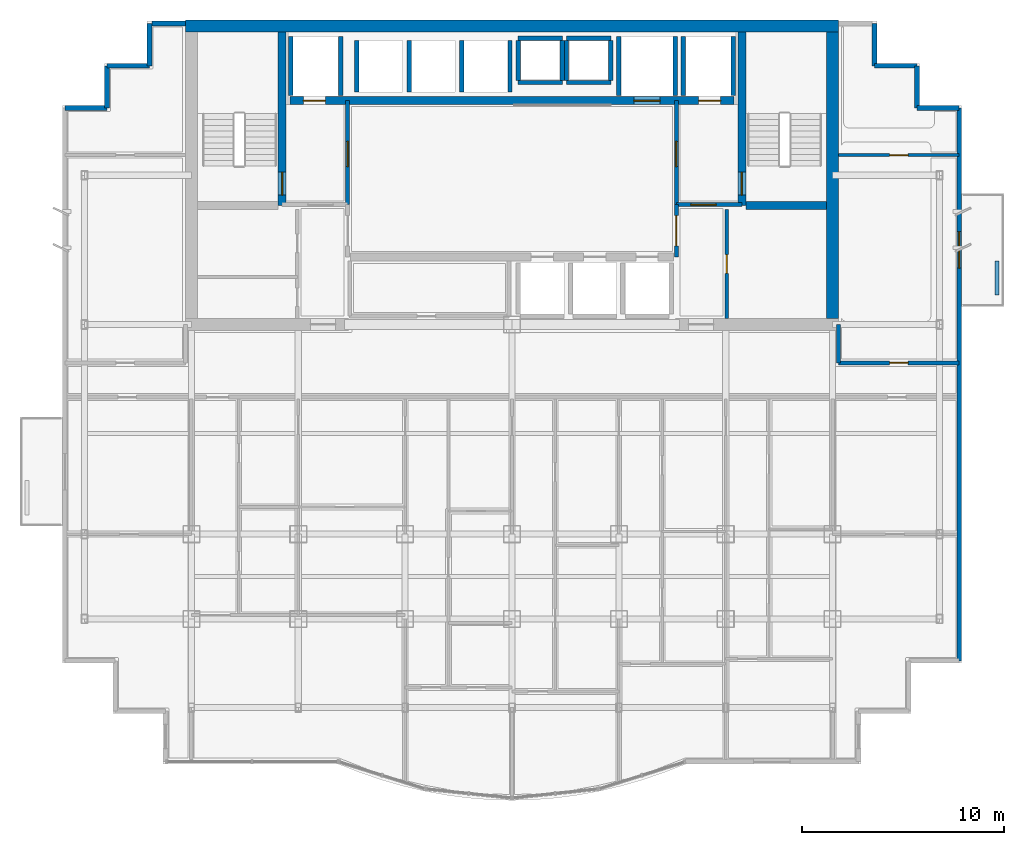
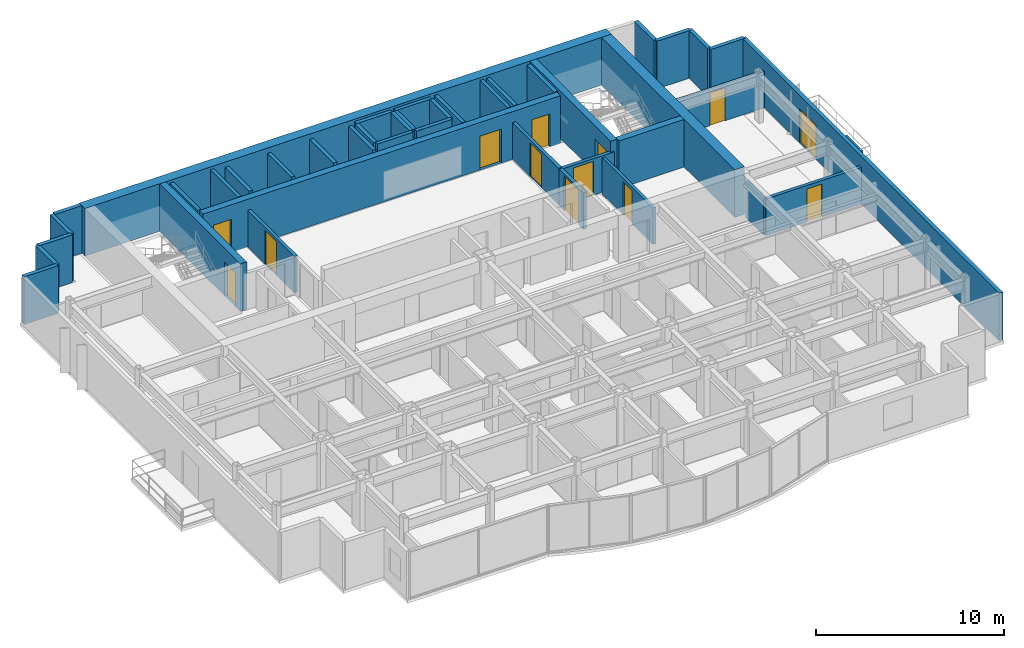
# One storey, part 8 of 11: 43 walls, 13 doors, 13 openings.
"""IFC4 building model written with IfcOpenShell, lengths in metres."""

from ifc_helpers import new_model, si_unit, direction, frame, frame_2d, origin, place, context, subcontext, project, spatial, rectangle, extrude, material, layer, layer_set, type_object, element, fill, save


model = new_model("IFC4")

# Units and contexts
model_context = context("Model", 3, precision=1e-05, world=origin(), true_north=direction((0.0, 1.0)))
body_context = subcontext(model_context, "Body", "Model", "MODEL_VIEW")
ifc_project = project(units=[si_unit("LENGTHUNIT", "METRE"), si_unit("AREAUNIT", "SQUARE_METRE"), si_unit("VOLUMEUNIT", "CUBIC_METRE"), si_unit("PLANEANGLEUNIT", "RADIAN"), si_unit("MASSUNIT", "GRAM", prefix="KILO")], contexts=[model_context])

# Site, building, storey
site_placement = place(None, origin())
site = spatial("IfcSite", under=ifc_project, at=site_placement, CompositionType="ELEMENT")
building_placement = place(site_placement, origin())
building = spatial("IfcBuilding", under=site, at=building_placement, Name="Qianlan Lanfeng Residences", CompositionType="ELEMENT")
storey_placement = place(building_placement, frame((0.0, 0.0, 172.199951171875)))
storey = spatial("IfcBuildingStorey", under=building, at=storey_placement, Name="L47", CompositionType="ELEMENT", Elevation=172.199951171875)

# Wall, opening, door
ifc_material_1 = material(Name="Concrete C56", Category="concrete")
ifc_layer_1 = layer(ifc_material_1, 0.39990234375)
ifc_layer_set_1 = layer_set([ifc_layer_1], Name="Concrete C56")
wall_type_1 = type_object("IfcWallType", Name="CW-RC-400", PredefinedType="SHEAR", material=ifc_layer_set_1)
wall_1_placement = place(storey_placement, frame((15.10009765625, 31.10009765625, 0.0), z_axis=(0.0, 0.0, 1.0), x_axis=(0.0, 1.0, 0.0)))
wall_1 = element("IfcWall", 1, at=wall_1_placement, inside=storey, type_object=wall_type_1, Name="L47 Core Shear Wall ST1E", PredefinedType="SHEAR", context=body_context, shape_type="SweptSolid", body=[
    extrude(rectangle(XDim=8.599853515625, YDim=0.39990234375, at=frame_2d((4.2998046875, 0.0))), origin(), (0.0, 0.0, 1.0), 3.10009765625),
])
opening_1_placement = place(wall_1_placement, frame((0.510009765625, 0.0, 0.0)))
opening_1 = element("IfcOpeningElement", 2, at=opening_1_placement, cuts=wall_1, Name="Opening L47-D07", PredefinedType="OPENING", context=body_context, shape_type="SweptSolid", body=[
    extrude(rectangle(XDim=1.14990234375, YDim=2.199951171875, at=frame_2d((0.574951171875, 1.10009765625))), frame((0.0, 0.2099609375, 0.0), z_axis=(0.0, -1.0, 0.0), x_axis=(1.0, 0.0, 0.0)), (0.0, 0.0, 1.0), 0.419921875),
])
ifc_material_2 = material(Name="Painted Galvanised Steel Fire Door", Category="steel")
door_type_1 = type_object("IfcDoorType", Name="DT-ST1", OperationType="NOTDEFINED", PredefinedType="DOOR", material=ifc_material_2)
door_1_placement = place(opening_1_placement, frame((1.14990234375, 0.0, 0.0), z_axis=(0.0, 0.0, 1.0), x_axis=(-1.0, 0.0, 0.0)))
door_1 = element("IfcDoor", 3, at=door_1_placement, inside=storey, type_object=door_type_1, Name="L47 Exit Stair ST-1 Door L47-D07 (DT-ST1)", OperationType="SINGLE_SWING_RIGHT", OverallHeight=2.199951171875, OverallWidth=1.14990234375, PredefinedType="DOOR", context=body_context, shape_type="SweptSolid", body=[
    extrude(rectangle(XDim=1.14990234375, YDim=2.199951171875, at=frame_2d((0.574951171875, 1.10009765625))), frame((0.0, 0.02490234375, 0.0), z_axis=(0.0, -1.0, 0.0), x_axis=(1.0, 0.0, 0.0)), (0.0, 0.0, 1.0), 0.050048828125),
])
fill(opening_1, door_1)

wall_2_placement = place(storey_placement, frame((37.89990234375, 31.10009765625, 0.0), z_axis=(0.0, 0.0, 1.0), x_axis=(0.0, 1.0, 0.0)))
wall_2 = element("IfcWall", 4, at=wall_2_placement, inside=storey, type_object=wall_type_1, Name="L47 Core Shear Wall ST2W", PredefinedType="SHEAR", context=body_context, shape_type="SweptSolid", body=[
    extrude(rectangle(XDim=8.599853515625, YDim=0.39990234375, at=frame_2d((4.2998046875, 0.0))), origin(), (0.0, 0.0, 1.0), 3.10009765625),
])
opening_2_placement = place(wall_2_placement, frame((0.510009765625, 0.0, 0.0)))
opening_2 = element("IfcOpeningElement", 5, at=opening_2_placement, cuts=wall_2, Name="Opening L47-D08", PredefinedType="OPENING", context=body_context, shape_type="SweptSolid", body=[
    extrude(rectangle(XDim=1.14990234375, YDim=2.199951171875, at=frame_2d((0.574951171875, 1.10009765625))), frame((0.0, 0.2099609375, 0.0), z_axis=(0.0, -1.0, 0.0), x_axis=(1.0, 0.0, 0.0)), (0.0, 0.0, 1.0), 0.419921875),
])
door_2_placement = place(opening_2_placement, origin())
door_2 = element("IfcDoor", 6, at=door_2_placement, inside=storey, type_object=door_type_1, Name="L47 Exit Stair ST-2 Door L47-D08 (DT-ST1)", OperationType="SINGLE_SWING_RIGHT", OverallHeight=2.199951171875, OverallWidth=1.14990234375, PredefinedType="DOOR", context=body_context, shape_type="SweptSolid", body=[
    extrude(rectangle(XDim=1.14990234375, YDim=2.199951171875, at=frame_2d((0.574951171875, 1.10009765625))), frame((0.0, 0.02490234375, 0.0), z_axis=(0.0, -1.0, 0.0), x_axis=(1.0, 0.0, 0.0)), (0.0, 0.0, 1.0), 0.050048828125),
])
fill(opening_2, door_2)

# Wall
wall_3_placement = place(storey_placement, frame((38.10009765625, 31.10009765625, 0.0), z_axis=(0.0, 0.0, 1.0), x_axis=(1.0, 0.0, 0.0)))
element("IfcWall", 7, at=wall_3_placement, inside=storey, type_object=wall_type_1, Name="L47 Core Shear Wall ST2S", PredefinedType="SHEAR", context=body_context, shape_type="SweptSolid", body=[
    extrude(rectangle(XDim=4.0, YDim=0.39990234375, at=frame_2d((2.0, 0.0))), origin(), (0.0, 0.0, 1.0), 3.10009765625),
])

# Wall, openings, doors
wall_4_placement = place(storey_placement, frame((15.5, 36.300048828125, 0.0), z_axis=(0.0, 0.0, 1.0), x_axis=(1.0, 0.0, 0.0)))
wall_4 = element("IfcWall", 8, at=wall_4_placement, inside=storey, type_object=wall_type_1, Name="L47 Core Shear Wall LBN", PredefinedType="SHEAR", context=body_context, shape_type="SweptSolid", body=[
    extrude(rectangle(XDim=22.0, YDim=0.39990234375, at=frame_2d((11.0, 0.0))), origin(), (0.0, 0.0, 1.0), 3.10009765625),
])
opening_3_placement = place(wall_4_placement, frame((0.64990234375, 0.0, 0.0)))
opening_3 = element("IfcOpeningElement", 9, at=opening_3_placement, cuts=wall_4, Name="Opening L47-LD-FFL-1", PredefinedType="OPENING", context=body_context, shape_type="SweptSolid", body=[
    extrude(rectangle(XDim=1.10009765625, YDim=2.14990234375, at=frame_2d((0.550048828125, 1.074951171875))), frame((0.0, 0.2099609375, 0.0), z_axis=(0.0, -1.0, 0.0), x_axis=(1.0, 0.0, 0.0)), (0.0, 0.0, 1.0), 0.419921875),
])
opening_4_placement = place(wall_4_placement, frame((20.25, 0.0, 0.0)))
opening_4 = element("IfcOpeningElement", 10, at=opening_4_placement, cuts=wall_4, Name="Opening L47-LD-FFL-2", PredefinedType="OPENING", context=body_context, shape_type="SweptSolid", body=[
    extrude(rectangle(XDim=1.10009765625, YDim=2.14990234375, at=frame_2d((0.550048828125, 1.074951171875))), frame((0.0, 0.2099609375, 0.0), z_axis=(0.0, -1.0, 0.0), x_axis=(1.0, 0.0, 0.0)), (0.0, 0.0, 1.0), 0.419921875),
])
opening_5_placement = place(wall_4_placement, frame((17.050048828125, 0.0, 0.0)))
opening_5 = element("IfcOpeningElement", 11, at=opening_5_placement, cuts=wall_4, Name="Opening L47-LD-SVL-1", PredefinedType="OPENING", context=body_context, shape_type="SweptSolid", body=[
    extrude(rectangle(XDim=1.300048828125, YDim=2.199951171875, at=frame_2d((0.64990234375, 1.10009765625))), frame((0.0, 0.2099609375, 0.0), z_axis=(0.0, -1.0, 0.0), x_axis=(1.0, 0.0, 0.0)), (0.0, 0.0, 1.0), 0.419921875),
])
ifc_material_3 = material(Name="Brushed Stainless Steel Sliding Lift Door", Category="steel")
door_type_2 = type_object("IfcDoorType", Name="LD-01", OperationType="NOTDEFINED", PredefinedType="DOOR", material=ifc_material_3)
door_3_placement = place(opening_3_placement, frame((1.10009765625, 0.0, 0.0), z_axis=(0.0, 0.0, 1.0), x_axis=(-1.0, 0.0, 0.0)))
door_3 = element("IfcDoor", 12, at=door_3_placement, inside=storey, type_object=door_type_2, Name="L47 Elevator FFL-1 Sliding Landing Door", OperationType="DOUBLE_DOOR_SLIDING", OverallHeight=2.14990234375, OverallWidth=1.10009765625, PredefinedType="DOOR", context=body_context, shape_type="SweptSolid", body=[
    extrude(rectangle(XDim=1.10009765625, YDim=2.14990234375, at=frame_2d((0.550048828125, 1.074951171875))), frame((0.0, 0.02490234375, 0.0), z_axis=(0.0, -1.0, 0.0), x_axis=(1.0, 0.0, 0.0)), (0.0, 0.0, 1.0), 0.050048828125),
])
fill(opening_3, door_3)
door_4_placement = place(opening_4_placement, frame((1.10009765625, 0.0, 0.0), z_axis=(0.0, 0.0, 1.0), x_axis=(-1.0, 0.0, 0.0)))
door_4 = element("IfcDoor", 13, at=door_4_placement, inside=storey, type_object=door_type_2, Name="L47 Elevator FFL-2 Sliding Landing Door", OperationType="DOUBLE_DOOR_SLIDING", OverallHeight=2.14990234375, OverallWidth=1.10009765625, PredefinedType="DOOR", context=body_context, shape_type="SweptSolid", body=[
    extrude(rectangle(XDim=1.10009765625, YDim=2.14990234375, at=frame_2d((0.550048828125, 1.074951171875))), frame((0.0, 0.02490234375, 0.0), z_axis=(0.0, -1.0, 0.0), x_axis=(1.0, 0.0, 0.0)), (0.0, 0.0, 1.0), 0.050048828125),
])
fill(opening_4, door_4)
door_type_3 = type_object("IfcDoorType", Name="LD-02", OperationType="NOTDEFINED", PredefinedType="DOOR", material=ifc_material_3)
door_5_placement = place(opening_5_placement, frame((1.300048828125, 0.0, 0.0), z_axis=(0.0, 0.0, 1.0), x_axis=(-1.0, 0.0, 0.0)))
door_5 = element("IfcDoor", 14, at=door_5_placement, inside=storey, type_object=door_type_3, Name="L47 Elevator SVL-1 Sliding Landing Door", OperationType="DOUBLE_DOOR_SLIDING", OverallHeight=2.199951171875, OverallWidth=1.300048828125, PredefinedType="DOOR", context=body_context, shape_type="SweptSolid", body=[
    extrude(rectangle(XDim=1.300048828125, YDim=2.199951171875, at=frame_2d((0.64990234375, 1.10009765625))), frame((0.0, 0.02490234375, 0.0), z_axis=(0.0, -1.0, 0.0), x_axis=(1.0, 0.0, 0.0)), (0.0, 0.0, 1.0), 0.050048828125),
])
fill(opening_5, door_5)

# Walls
ifc_layer_2 = layer(ifc_material_1, 0.60009765625)
ifc_layer_set_2 = layer_set([ifc_layer_2], Name="Concrete C56")
wall_type_2 = type_object("IfcWallType", Name="CW-RC-600", PredefinedType="SHEAR", material=ifc_layer_set_2)
wall_5_placement = place(storey_placement, frame((10.300048828125, 40.0, 0.0), z_axis=(0.0, 0.0, 1.0), x_axis=(1.0, 0.0, 0.0)))
element("IfcWall", 15, at=wall_5_placement, inside=storey, type_object=wall_type_2, Name="L47 Core Shear Wall N", PredefinedType="SHEAR", context=body_context, shape_type="SweptSolid", body=[
    extrude(rectangle(XDim=32.39990234375, YDim=0.60009765625, at=frame_2d((16.199951171875, 0.0))), origin(), (0.0, 0.0, 1.0), 3.10009765625),
])
wall_6_placement = place(storey_placement, frame((42.39990234375, 25.5, 0.0), z_axis=(0.0, 0.0, 1.0), x_axis=(0.0, 1.0, 0.0)))
element("IfcWall", 16, at=wall_6_placement, inside=storey, type_object=wall_type_2, Name="L47 Core Shear Wall E", PredefinedType="SHEAR", context=body_context, shape_type="SweptSolid", body=[
    extrude(rectangle(XDim=14.199951171875, YDim=0.60009765625, at=frame_2d((7.10009765625, 0.0))), origin(), (0.0, 0.0, 1.0), 3.10009765625),
])

# Wall, opening, door
ifc_material_4 = material(Name="Concrete C42", Category="concrete")
ifc_layer_3 = layer(ifc_material_4, 0.239990234375)
ifc_layer_set_3 = layer_set([ifc_layer_3], Name="Concrete C42")
wall_type_3 = type_object("IfcWallType", Name="EW-240", PredefinedType="SOLIDWALL", material=ifc_layer_set_3)
wall_7_placement = place(storey_placement, frame((48.679931640625, 8.52001953125, 0.0), z_axis=(0.0, 0.0, 1.0), x_axis=(0.0, 1.0, 0.0)))
wall_7 = element("IfcWall", 17, at=wall_7_placement, inside=storey, type_object=wall_type_3, Name="L47 Terrace/Balcony Access Exterior Wall 10", PredefinedType="SOLIDWALL", context=body_context, shape_type="SweptSolid", body=[
    extrude(rectangle(XDim=27.409912109375, YDim=0.239990234375, at=frame_2d((13.705078125, 0.0))), origin(), (0.0, 0.0, 1.0), 3.10009765625),
])
opening_6_placement = place(wall_7_placement, frame((19.47998046875, 0.0, 0.0)))
opening_6 = element("IfcOpeningElement", 18, at=opening_6_placement, cuts=wall_7, Name="Opening L47-D-EB-N", PredefinedType="OPENING", context=body_context, shape_type="SweptSolid", body=[
    extrude(rectangle(XDim=1.800048828125, YDim=2.199951171875, at=frame_2d((0.89990234375, 1.10009765625))), frame((0.0, 0.1298828125, 0.0), z_axis=(0.0, -1.0, 0.0), x_axis=(1.0, 0.0, 0.0)), (0.0, 0.0, 1.0), 0.260009765625),
])
ifc_material_5 = material(Name="Anodised Bronze Aluminium Framed Glass", Category="aluminium")
door_type_4 = type_object("IfcDoorType", Name="DT-BAL1", OperationType="NOTDEFINED", PredefinedType="DOOR", material=ifc_material_5)
door_6_placement = place(opening_6_placement, frame((1.800048828125, 0.0, 0.0), z_axis=(0.0, 0.0, 1.0), x_axis=(-1.0, 0.0, 0.0)))
door_6 = element("IfcDoor", 19, at=door_6_placement, inside=storey, type_object=door_type_4, Name="L47 Exterior Access Door EB-N", OperationType="DOUBLE_DOOR_SLIDING", OverallHeight=2.199951171875, OverallWidth=1.800048828125, PredefinedType="DOOR", context=body_context, shape_type="SweptSolid", body=[
    extrude(rectangle(XDim=1.800048828125, YDim=2.199951171875, at=frame_2d((0.89990234375, 1.10009765625))), frame((0.0, 0.02490234375, 0.0), z_axis=(0.0, -1.0, 0.0), x_axis=(1.0, 0.0, 0.0)), (0.0, 0.0, 1.0), 0.050048828125),
])
fill(opening_6, door_6)

# Walls
wall_8_placement = place(storey_placement, frame((48.679931640625, 35.929931640625, 0.0), z_axis=(0.0, 0.0, 1.0), x_axis=(-1.0, 0.0, 0.0)))
element("IfcWall", 20, at=wall_8_placement, inside=storey, type_object=wall_type_3, Name="L47 Exterior Facade Spandrel Wall 11", PredefinedType="SOLIDWALL", context=body_context, shape_type="SweptSolid", body=[
    extrude(rectangle(XDim=2.099853515625, YDim=0.239990234375, at=frame_2d((1.0498046875, 0.0))), origin(), (0.0, 0.0, 1.0), 3.10009765625),
])
for number, where, z_axis, x_axis, name in (
    (21, (46.580078125, 35.929931640625, 0.0), (0.0, 0.0, 1.0), (0.0, 1.0, 0.0), "L47 Exterior Facade Spandrel Wall 12"),
    (22, (46.580078125, 38.030029296875, 0.0), (0.0, 0.0, 1.0), (-1.0, 0.0, 0.0), "L47 Exterior Facade Spandrel Wall 13"),
):
    element("IfcWall", number, at=place(storey_placement, frame(where, z_axis=z_axis, x_axis=x_axis)), inside=storey, type_object=wall_type_3, Name=name, PredefinedType="SOLIDWALL", context=body_context, shape_type="SweptSolid", body=[
        extrude(rectangle(XDim=2.10009765625, YDim=0.239990234375, at=frame_2d((1.050048828125, 0.0))), origin(), (0.0, 0.0, 1.0), 3.10009765625),
    ])
wall_9_placement = place(storey_placement, frame((44.47998046875, 38.030029296875, 0.0), z_axis=(0.0, 0.0, 1.0), x_axis=(0.0, 1.0, 0.0)))
element("IfcWall", 23, at=wall_9_placement, inside=storey, type_object=wall_type_3, Name="L47 Exterior Facade Spandrel Wall 14", PredefinedType="SOLIDWALL", context=body_context, shape_type="SweptSolid", body=[
    extrude(rectangle(XDim=2.099853515625, YDim=0.239990234375, at=frame_2d((1.0498046875, 0.0))), origin(), (0.0, 0.0, 1.0), 3.10009765625),
])
wall_10_placement = place(storey_placement, frame((10.300048828125, 40.1298828125, 0.0), z_axis=(0.0, 0.0, 1.0), x_axis=(-1.0, 0.0, 0.0)))
element("IfcWall", 24, at=wall_10_placement, inside=storey, type_object=wall_type_3, Name="L47 North Wing Exterior Wall W", PredefinedType="SOLIDWALL", context=body_context, shape_type="SweptSolid", body=[
    extrude(rectangle(XDim=1.650146484375, YDim=0.239990234375, at=frame_2d((0.8251953125, 0.0))), origin(), (0.0, 0.0, 1.0), 3.10009765625),
])
wall_11_placement = place(storey_placement, frame((8.52001953125, 40.1298828125, 0.0), z_axis=(0.0, 0.0, 1.0), x_axis=(0.0, -1.0, 0.0)))
element("IfcWall", 25, at=wall_11_placement, inside=storey, type_object=wall_type_3, Name="L47 Exterior Facade Spandrel Wall 17", PredefinedType="SOLIDWALL", context=body_context, shape_type="SweptSolid", body=[
    extrude(rectangle(XDim=2.099853515625, YDim=0.239990234375, at=frame_2d((1.0498046875, 0.0))), origin(), (0.0, 0.0, 1.0), 3.10009765625),
])
for number, where, z_axis, x_axis, name in (
    (26, (8.52001953125, 38.030029296875, 0.0), (0.0, 0.0, 1.0), (-1.0, 0.0, 0.0), "L47 Exterior Facade Spandrel Wall 18"),
    (27, (6.419921875, 38.030029296875, 0.0), (0.0, 0.0, 1.0), (0.0, -1.0, 0.0), "L47 Exterior Facade Spandrel Wall 19"),
):
    element("IfcWall", number, at=place(storey_placement, frame(where, z_axis=z_axis, x_axis=x_axis)), inside=storey, type_object=wall_type_3, Name=name, PredefinedType="SOLIDWALL", context=body_context, shape_type="SweptSolid", body=[
        extrude(rectangle(XDim=2.10009765625, YDim=0.239990234375, at=frame_2d((1.050048828125, 0.0))), origin(), (0.0, 0.0, 1.0), 3.10009765625),
    ])
wall_12_placement = place(storey_placement, frame((6.419921875, 35.929931640625, 0.0), z_axis=(0.0, 0.0, 1.0), x_axis=(-1.0, 0.0, 0.0)))
element("IfcWall", 28, at=wall_12_placement, inside=storey, type_object=wall_type_3, Name="L47 Exterior Facade Spandrel Wall 20", PredefinedType="SOLIDWALL", context=body_context, shape_type="SweptSolid", body=[
    extrude(rectangle(XDim=2.099853515625, YDim=0.239990234375, at=frame_2d((1.0498046875, 0.0))), origin(), (0.0, 0.0, 1.0), 3.10009765625),
])
ifc_layer_4 = layer(ifc_material_4, 0.199951171875)
ifc_layer_set_4 = layer_set([ifc_layer_4], Name="Concrete C42")
wall_type_4 = type_object("IfcWallType", Name="PL-TREE-200", PredefinedType="PARAPET", material=ifc_layer_set_4)
wall_13_placement = place(storey_placement, frame((50.550048828125, 26.64990234375, 0.0), z_axis=(0.0, 0.0, 1.0), x_axis=(0.0, 1.0, 0.0)))
element("IfcWall", 29, at=wall_13_placement, inside=storey, type_object=wall_type_4, Name="L47 East Tree Planter Curb EB-N", PredefinedType="PARAPET", context=body_context, shape_type="SweptSolid", body=[
    extrude(rectangle(XDim=1.7001953125, YDim=0.199951171875, at=frame_2d((0.85009765625, 0.0))), origin(), (0.0, 0.0, 1.0), 0.650146484375),
])

# Wall, opening, door
ifc_material_6 = material(Name="Moisture-Resistant Gypsum Partition 135 mm")
ifc_layer_5 = layer(ifc_material_6, 0.135009765625)
ifc_layer_set_5 = layer_set([ifc_layer_5], Name="Moisture-Resistant Gypsum Partition 135 mm")
wall_type_5 = type_object("IfcWallType", Name="PW-135", PredefinedType="PARTITIONING", material=ifc_layer_set_5)
wall_14_placement = place(storey_placement, frame((42.699951171875, 33.60009765625, 0.0), z_axis=(0.0, 0.0, 1.0), x_axis=(1.0, 0.0, 0.0)))
wall_14 = element("IfcWall", 30, at=wall_14_placement, inside=storey, type_object=wall_type_5, Name="L47 EW North Wing Wall", PredefinedType="PARTITIONING", context=body_context, shape_type="SweptSolid", body=[
    extrude(rectangle(XDim=5.97998046875, YDim=0.135009765625, at=frame_2d((2.989990234375, 0.0))), origin(), (0.0, 0.0, 1.0), 2.380126953125),
])
opening_7_placement = place(wall_14_placement, frame((2.530029296875, 0.0, 0.0)))
opening_7 = element("IfcOpeningElement", 31, at=opening_7_placement, cuts=wall_14, Name="Opening L47-D44", PredefinedType="OPENING", context=body_context, shape_type="SweptSolid", body=[
    extrude(rectangle(XDim=0.919921875, YDim=2.14990234375, at=frame_2d((0.4599609375, 1.074951171875))), frame((0.0, 0.07763671875, 0.0), z_axis=(0.0, -1.0, 0.0), x_axis=(1.0, 0.0, 0.0)), (0.0, 0.0, 1.0), 0.155029296875),
])
ifc_material_7 = material(Name="Glazed Timber Kitchen/Study Door", Category="wood")
door_type_5 = type_object("IfcDoorType", Name="DT-INT", OperationType="NOTDEFINED", PredefinedType="DOOR", material=ifc_material_7)
door_7_placement = place(opening_7_placement, origin())
door_7 = element("IfcDoor", 32, at=door_7_placement, inside=storey, type_object=door_type_5, Name="L47 EW Inner Salon Door L47-D44 (DT-INT)", OperationType="SINGLE_SWING_RIGHT", OverallHeight=2.14990234375, OverallWidth=0.919921875, PredefinedType="DOOR", context=body_context, shape_type="SweptSolid", body=[
    extrude(rectangle(XDim=0.919921875, YDim=2.14990234375, at=frame_2d((0.4599609375, 1.074951171875))), frame((0.0, 0.02490234375, 0.0), z_axis=(0.0, -1.0, 0.0), x_axis=(1.0, 0.0, 0.0)), (0.0, 0.0, 1.0), 0.050048828125),
])
fill(opening_7, door_7)

ifc_material_8 = material(Name="Double-Layer Acoustic Gypsum Stud Wall 180 mm")
ifc_layer_6 = layer(ifc_material_8, 0.179931640625)
ifc_layer_set_6 = layer_set([ifc_layer_6], Name="Double-Layer Acoustic Gypsum Stud Wall 180 mm")
wall_type_6 = type_object("IfcWallType", Name="PW-180", PredefinedType="PARTITIONING", material=ifc_layer_set_6)
wall_15_placement = place(storey_placement, frame((37.14990234375, 25.5, 0.0), z_axis=(0.0, 0.0, 1.0), x_axis=(0.0, 1.0, 0.0)))
wall_15 = element("IfcWall", 33, at=wall_15_placement, inside=storey, type_object=wall_type_6, Name="L47 Core East Service Room Wall", PredefinedType="PARTITIONING", context=body_context, shape_type="SweptSolid", body=[
    extrude(rectangle(XDim=5.39990234375, YDim=0.179931640625, at=frame_2d((2.699951171875, 0.0))), origin(), (0.0, 0.0, 1.0), 2.380126953125),
])
opening_8_placement = place(wall_15_placement, frame((2.239990234375, 0.0, 0.0)))
opening_8 = element("IfcOpeningElement", 34, at=opening_8_placement, cuts=wall_15, Name="Opening L47-D11", PredefinedType="OPENING", context=body_context, shape_type="SweptSolid", body=[
    extrude(rectangle(XDim=0.919921875, YDim=2.14990234375, at=frame_2d((0.4599609375, 1.074951171875))), frame((0.0, 0.10009765625, 0.0), z_axis=(0.0, -1.0, 0.0), x_axis=(1.0, 0.0, 0.0)), (0.0, 0.0, 1.0), 0.199951171875),
])
door_8_placement = place(opening_8_placement, origin())
door_8 = element("IfcDoor", 35, at=door_8_placement, inside=storey, type_object=door_type_5, Name="L47 Mail Parcel Closet Door L47-D11 (DT-INT)", OperationType="SINGLE_SWING_LEFT", OverallHeight=2.14990234375, OverallWidth=0.919921875, PredefinedType="DOOR", context=body_context, shape_type="SweptSolid", body=[
    extrude(rectangle(XDim=0.919921875, YDim=2.14990234375, at=frame_2d((0.4599609375, 1.074951171875))), frame((0.0, 0.02490234375, 0.0), z_axis=(0.0, -1.0, 0.0), x_axis=(1.0, 0.0, 0.0)), (0.0, 0.0, 1.0), 0.050048828125),
])
fill(opening_8, door_8)

ifc_material_9 = material(Name="Autoclaved Aerated Concrete Blockwork 200 mm", Category="masonry")
ifc_layer_7 = layer(ifc_material_9, 0.199951171875)
ifc_layer_set_7 = layer_set([ifc_layer_7], Name="Autoclaved Aerated Concrete Blockwork 200 mm")
wall_type_7 = type_object("IfcWallType", Name="PW-200", PredefinedType="PARTITIONING", material=ifc_layer_set_7)
wall_16_placement = place(storey_placement, frame((18.35009765625, 31.14990234375, 0.0), z_axis=(0.0, 0.0, 1.0), x_axis=(0.0, 1.0, 0.0)))
wall_16 = element("IfcWall", 36, at=wall_16_placement, inside=storey, type_object=wall_type_7, Name="L47 Firefighting Lobby 1 East Wall", PredefinedType="PARTITIONING", context=body_context, shape_type="SweptSolid", body=[
    extrude(rectangle(XDim=5.150146484375, YDim=0.199951171875, at=frame_2d((2.5751953125, 0.0))), origin(), (0.0, 0.0, 1.0), 2.380126953125),
])
opening_9_placement = place(wall_16_placement, frame((1.875, 0.0, 0.0)))
opening_9 = element("IfcOpeningElement", 37, at=opening_9_placement, cuts=wall_16, Name="Opening L47-D04", PredefinedType="OPENING", context=body_context, shape_type="SweptSolid", body=[
    extrude(rectangle(XDim=1.25, YDim=2.199951171875, at=frame_2d((0.625, 1.10009765625))), frame((0.0, 0.10986328125, 0.0), z_axis=(0.0, -1.0, 0.0), x_axis=(1.0, 0.0, 0.0)), (0.0, 0.0, 1.0), 0.219970703125),
])
door_type_6 = type_object("IfcDoorType", Name="DT-FFL", OperationType="NOTDEFINED", PredefinedType="DOOR", material=ifc_material_2)
door_9_placement = place(opening_9_placement, origin())
door_9 = element("IfcDoor", 38, at=door_9_placement, inside=storey, type_object=door_type_6, Name="L47 Firefighting Lobby 1 Lift Lobby Door L47-D04 (DT-FFL)", OperationType="SINGLE_SWING_RIGHT", OverallHeight=2.199951171875, OverallWidth=1.25, PredefinedType="DOOR", context=body_context, shape_type="SweptSolid", body=[
    extrude(rectangle(XDim=1.25, YDim=2.199951171875, at=frame_2d((0.625, 1.10009765625))), frame((0.0, 0.02490234375, 0.0), z_axis=(0.0, -1.0, 0.0), x_axis=(1.0, 0.0, 0.0)), (0.0, 0.0, 1.0), 0.050048828125),
])
fill(opening_9, door_9)

wall_17_placement = place(storey_placement, frame((34.64990234375, 31.14990234375, 0.0), z_axis=(0.0, 0.0, 1.0), x_axis=(1.0, 0.0, 0.0)))
wall_17 = element("IfcWall", 39, at=wall_17_placement, inside=storey, type_object=wall_type_7, Name="L47 Firefighting Lobby 2 South Wall", PredefinedType="PARTITIONING", context=body_context, shape_type="SweptSolid", body=[
    extrude(rectangle(XDim=3.25, YDim=0.199951171875, at=frame_2d((1.625, 0.0))), origin(), (0.0, 0.0, 1.0), 2.380126953125),
])
opening_10_placement = place(wall_17_placement, frame((0.72509765625, 0.0, 0.0)))
opening_10 = element("IfcOpeningElement", 40, at=opening_10_placement, cuts=wall_17, Name="Opening L47-D05", PredefinedType="OPENING", context=body_context, shape_type="SweptSolid", body=[
    extrude(rectangle(XDim=1.25, YDim=2.199951171875, at=frame_2d((0.625, 1.10009765625))), frame((0.0, 0.10986328125, 0.0), z_axis=(0.0, -1.0, 0.0), x_axis=(1.0, 0.0, 0.0)), (0.0, 0.0, 1.0), 0.219970703125),
])
door_10_placement = place(opening_10_placement, origin())
door_10 = element("IfcDoor", 41, at=door_10_placement, inside=storey, type_object=door_type_6, Name="L47 Firefighting Lobby 2 Entry Door L47-D05 (DT-FFL)", OperationType="SINGLE_SWING_RIGHT", OverallHeight=2.199951171875, OverallWidth=1.25, PredefinedType="DOOR", context=body_context, shape_type="SweptSolid", body=[
    extrude(rectangle(XDim=1.25, YDim=2.199951171875, at=frame_2d((0.625, 1.10009765625))), frame((0.0, 0.02490234375, 0.0), z_axis=(0.0, -1.0, 0.0), x_axis=(1.0, 0.0, 0.0)), (0.0, 0.0, 1.0), 0.050048828125),
])
fill(opening_10, door_10)

wall_18_placement = place(storey_placement, frame((34.64990234375, 31.14990234375, 0.0), z_axis=(0.0, 0.0, 1.0), x_axis=(0.0, 1.0, 0.0)))
wall_18 = element("IfcWall", 42, at=wall_18_placement, inside=storey, type_object=wall_type_7, Name="L47 Firefighting Lobby 2 West Wall", PredefinedType="PARTITIONING", context=body_context, shape_type="SweptSolid", body=[
    extrude(rectangle(XDim=5.150146484375, YDim=0.199951171875, at=frame_2d((2.5751953125, 0.0))), origin(), (0.0, 0.0, 1.0), 2.380126953125),
])
opening_11_placement = place(wall_18_placement, frame((1.875, 0.0, 0.0)))
opening_11 = element("IfcOpeningElement", 43, at=opening_11_placement, cuts=wall_18, Name="Opening L47-D06", PredefinedType="OPENING", context=body_context, shape_type="SweptSolid", body=[
    extrude(rectangle(XDim=1.25, YDim=2.199951171875, at=frame_2d((0.625, 1.10009765625))), frame((0.0, 0.10986328125, 0.0), z_axis=(0.0, -1.0, 0.0), x_axis=(1.0, 0.0, 0.0)), (0.0, 0.0, 1.0), 0.219970703125),
])
door_11_placement = place(opening_11_placement, origin())
door_11 = element("IfcDoor", 44, at=door_11_placement, inside=storey, type_object=door_type_6, Name="L47 Firefighting Lobby 2 Lift Lobby Door L47-D06 (DT-FFL)", OperationType="SINGLE_SWING_RIGHT", OverallHeight=2.199951171875, OverallWidth=1.25, PredefinedType="DOOR", context=body_context, shape_type="SweptSolid", body=[
    extrude(rectangle(XDim=1.25, YDim=2.199951171875, at=frame_2d((0.625, 1.10009765625))), frame((0.0, 0.02490234375, 0.0), z_axis=(0.0, -1.0, 0.0), x_axis=(1.0, 0.0, 0.0)), (0.0, 0.0, 1.0), 0.050048828125),
])
fill(opening_11, door_11)

wall_19_placement = place(storey_placement, frame((34.64990234375, 28.550048828125, 0.0), z_axis=(0.0, 0.0, 1.0), x_axis=(0.0, 1.0, 0.0)))
wall_19 = element("IfcWall", 45, at=wall_19_placement, inside=storey, type_object=wall_type_7, Name="L47 Lift Lobby East Connector Wall", PredefinedType="PARTITIONING", context=body_context, shape_type="SweptSolid", body=[
    extrude(rectangle(XDim=2.599853515625, YDim=0.199951171875, at=frame_2d((1.2998046875, 0.0))), origin(), (0.0, 0.0, 1.0), 2.380126953125),
])
opening_12_placement = place(wall_19_placement, frame((0.550048828125, 0.0, 0.0)))
opening_12 = element("IfcOpeningElement", 46, at=opening_12_placement, cuts=wall_19, Name="Opening L47-D13", PredefinedType="OPENING", context=body_context, shape_type="SweptSolid", body=[
    extrude(rectangle(XDim=1.5, YDim=2.25, at=frame_2d((0.75, 1.125))), frame((0.0, 0.10986328125, 0.0), z_axis=(0.0, -1.0, 0.0), x_axis=(1.0, 0.0, 0.0)), (0.0, 0.0, 1.0), 0.219970703125),
])
ifc_material_10 = material(Name="Timber Veneer Acoustic Fire Door", Category="wood")
door_type_7 = type_object("IfcDoorType", Name="DT-COR1", OperationType="NOTDEFINED", PredefinedType="DOOR", material=ifc_material_10)
door_12_placement = place(opening_12_placement, frame((1.5, 0.0, 0.0), z_axis=(0.0, 0.0, 1.0), x_axis=(-1.0, 0.0, 0.0)))
door_12 = element("IfcDoor", 47, at=door_12_placement, inside=storey, type_object=door_type_7, Name="L47 Lift Lobby East Portal Door L47-D13 (DT-COR1)", OperationType="DOUBLE_DOOR_SINGLE_SWING", OverallHeight=2.25, OverallWidth=1.5, PredefinedType="DOOR", context=body_context, shape_type="SweptSolid", body=[
    extrude(rectangle(XDim=1.5, YDim=2.25, at=frame_2d((0.75, 1.125))), frame((0.0, 0.02490234375, 0.0), z_axis=(0.0, -1.0, 0.0), x_axis=(1.0, 0.0, 0.0)), (0.0, 0.0, 1.0), 0.050048828125),
])
fill(opening_12, door_12)

wall_20_placement = place(storey_placement, frame((42.699951171875, 23.300048828125, 0.0), z_axis=(0.0, 0.0, 1.0), x_axis=(1.0, 0.0, 0.0)))
wall_20 = element("IfcWall", 48, at=wall_20_placement, inside=storey, type_object=wall_type_7, Name="L47 Corridor NE Wall", PredefinedType="PARTITIONING", context=body_context, shape_type="SweptSolid", body=[
    extrude(rectangle(XDim=5.97998046875, YDim=0.199951171875, at=frame_2d((2.989990234375, 0.0))), origin(), (0.0, 0.0, 1.0), 2.380126953125),
])
opening_13_placement = place(wall_20_placement, frame((2.530029296875, 0.0, 0.0)))
opening_13 = element("IfcOpeningElement", 49, at=opening_13_placement, cuts=wall_20, Name="Opening L47-D45", PredefinedType="OPENING", context=body_context, shape_type="SweptSolid", body=[
    extrude(rectangle(XDim=0.919921875, YDim=2.14990234375, at=frame_2d((0.4599609375, 1.074951171875))), frame((0.0, 0.10986328125, 0.0), z_axis=(0.0, -1.0, 0.0), x_axis=(1.0, 0.0, 0.0)), (0.0, 0.0, 1.0), 0.219970703125),
])
door_13_placement = place(opening_13_placement, origin())
door_13 = element("IfcDoor", 50, at=door_13_placement, inside=storey, type_object=door_type_5, Name="L47 EW Amenity Salon Door L47-D45 (DT-INT)", OperationType="SINGLE_SWING_LEFT", OverallHeight=2.14990234375, OverallWidth=0.919921875, PredefinedType="DOOR", context=body_context, shape_type="SweptSolid", body=[
    extrude(rectangle(XDim=0.919921875, YDim=2.14990234375, at=frame_2d((0.4599609375, 1.074951171875))), frame((0.0, 0.02490234375, 0.0), z_axis=(0.0, -1.0, 0.0), x_axis=(1.0, 0.0, 0.0)), (0.0, 0.0, 1.0), 0.050048828125),
])
fill(opening_13, door_13)

# Walls
wall_21_placement = place(storey_placement, frame((42.699951171875, 23.300048828125, 0.0), z_axis=(0.0, 0.0, 1.0), x_axis=(0.0, 1.0, 0.0)))
element("IfcWall", 51, at=wall_21_placement, inside=storey, type_object=wall_type_7, Name="L47 NE Wing Core Return Wall", PredefinedType="PARTITIONING", context=body_context, shape_type="SweptSolid", body=[
    extrude(rectangle(XDim=1.89990234375, YDim=0.199951171875, at=frame_2d((0.949951171875, 0.0))), origin(), (0.0, 0.0, 1.0), 2.380126953125),
])
ifc_material_11 = material(Name="Concrete C49", Category="concrete")
ifc_layer_8 = layer(ifc_material_11, 0.219970703125)
ifc_layer_set_8 = layer_set([ifc_layer_8], Name="Concrete C49")
wall_type_8 = type_object("IfcWallType", Name="SHW-220", PredefinedType="SOLIDWALL", material=ifc_layer_set_8)
for number, where, z_axis, x_axis, name in (
    (52, (15.52001953125, 36.550048828125, 0.0), (0.0, 0.0, 1.0), (0.0, 1.0, 0.0), "L47 Lift FFL-1 Shaft Wall W"),
    (53, (18.0, 36.550048828125, 0.0), (0.0, 0.0, 1.0), (0.0, 1.0, 0.0), "L47 Lift FFL-1 Shaft Wall E"),
    (54, (35.0, 36.550048828125, 0.0), (0.0, 0.0, 1.0), (0.0, 1.0, 0.0), "L47 Lift FFL-2 Shaft Wall W"),
    (55, (37.47998046875, 36.550048828125, 0.0), (0.0, 0.0, 1.0), (0.0, 1.0, 0.0), "L47 Lift FFL-2 Shaft Wall E"),
    (56, (31.800048828125, 36.550048828125, 0.0), (0.0, 0.0, 1.0), (0.0, 1.0, 0.0), "L47 Lift SVL-1 Shaft Wall W"),
    (57, (34.60009765625, 36.550048828125, 0.0), (0.0, 0.0, 1.0), (0.0, 1.0, 0.0), "L47 Lift SVL-1 Shaft Wall E"),
):
    element("IfcWall", number, at=place(storey_placement, frame(where, z_axis=z_axis, x_axis=x_axis)), inside=storey, type_object=wall_type_8, Name=name, PredefinedType="SOLIDWALL", context=body_context, shape_type="SweptSolid", body=[
        extrude(rectangle(XDim=2.929931640625, YDim=0.219970703125, at=frame_2d((1.46484375, 0.0))), origin(), (0.0, 0.0, 1.0), 3.10009765625),
    ])
for number, where, z_axis, x_axis, name in (
    (58, (18.800048828125, 36.719970703125, 0.0), (0.0, 0.0, 1.0), (0.0, 1.0, 0.0), "L47 Lift PL-H1 Shaft Wall W"),
    (59, (21.39990234375, 36.719970703125, 0.0), (0.0, 0.0, 1.0), (0.0, 1.0, 0.0), "L47 Lift PL-H2 Shaft Wall W"),
    (60, (24.0, 36.719970703125, 0.0), (0.0, 0.0, 1.0), (0.0, 1.0, 0.0), "L47 Lift PL-H3 Shaft Wall W"),
    (61, (26.39990234375, 36.719970703125, 0.0), (0.0, 0.0, 1.0), (0.0, 1.0, 0.0), "L47 Lift PL-H3 Shaft Wall E"),
):
    element("IfcWall", number, at=place(storey_placement, frame(where, z_axis=z_axis, x_axis=x_axis)), inside=storey, type_object=wall_type_8, Name=name, PredefinedType="SOLIDWALL", context=body_context, shape_type="SweptSolid", body=[
        extrude(rectangle(XDim=2.56005859375, YDim=0.219970703125, at=frame_2d((1.280029296875, 0.0))), origin(), (0.0, 0.0, 1.0), 3.10009765625),
    ])
for number, where, z_axis, x_axis, name in (
    (62, (26.800048828125, 37.31005859375, 0.0), (0.0, 0.0, 1.0), (0.0, 1.0, 0.0), "L47 MEP Riser MEP-R1 Shaft Wall W"),
    (63, (29.0, 37.31005859375, 0.0), (0.0, 0.0, 1.0), (0.0, 1.0, 0.0), "L47 MEP Riser MEP-R1 Shaft Wall E"),
):
    element("IfcWall", number, at=place(storey_placement, frame(where, z_axis=z_axis, x_axis=x_axis)), inside=storey, type_object=wall_type_8, Name=name, PredefinedType="SOLIDWALL", context=body_context, shape_type="SweptSolid", body=[
        extrude(rectangle(XDim=1.97998046875, YDim=0.219970703125, at=frame_2d((0.989990234375, 0.0))), origin(), (0.0, 0.0, 1.0), 3.10009765625),
    ])
for number, where, z_axis, x_axis, name in (
    (64, (26.800048828125, 39.39990234375, 0.0), (0.0, 0.0, 1.0), (1.0, 0.0, 0.0), "L47 MEP Riser MEP-R1 Shaft Wall N"),
    (65, (26.800048828125, 37.199951171875, 0.0), (0.0, 0.0, 1.0), (1.0, 0.0, 0.0), "L47 MEP Riser MEP-R1 Shaft Wall S"),
):
    element("IfcWall", number, at=place(storey_placement, frame(where, z_axis=z_axis, x_axis=x_axis)), inside=storey, type_object=wall_type_8, Name=name, PredefinedType="SOLIDWALL", context=body_context, shape_type="SweptSolid", body=[
        extrude(rectangle(XDim=2.199951171875, YDim=0.219970703125, at=frame_2d((1.10009765625, 0.0))), origin(), (0.0, 0.0, 1.0), 3.10009765625),
    ])
for number, where, z_axis, x_axis, name in (
    (66, (29.199951171875, 37.31005859375, 0.0), (0.0, 0.0, 1.0), (0.0, 1.0, 0.0), "L47 MEP Riser MEP-R2 Shaft Wall W"),
    (67, (31.39990234375, 37.31005859375, 0.0), (0.0, 0.0, 1.0), (0.0, 1.0, 0.0), "L47 MEP Riser MEP-R2 Shaft Wall E"),
):
    element("IfcWall", number, at=place(storey_placement, frame(where, z_axis=z_axis, x_axis=x_axis)), inside=storey, type_object=wall_type_8, Name=name, PredefinedType="SOLIDWALL", context=body_context, shape_type="SweptSolid", body=[
        extrude(rectangle(XDim=1.97998046875, YDim=0.219970703125, at=frame_2d((0.989990234375, 0.0))), origin(), (0.0, 0.0, 1.0), 3.10009765625),
    ])
for number, where, z_axis, x_axis, name in (
    (68, (29.199951171875, 39.39990234375, 0.0), (0.0, 0.0, 1.0), (1.0, 0.0, 0.0), "L47 MEP Riser MEP-R2 Shaft Wall N"),
    (69, (29.199951171875, 37.199951171875, 0.0), (0.0, 0.0, 1.0), (1.0, 0.0, 0.0), "L47 MEP Riser MEP-R2 Shaft Wall S"),
):
    element("IfcWall", number, at=place(storey_placement, frame(where, z_axis=z_axis, x_axis=x_axis)), inside=storey, type_object=wall_type_8, Name=name, PredefinedType="SOLIDWALL", context=body_context, shape_type="SweptSolid", body=[
        extrude(rectangle(XDim=2.199951171875, YDim=0.219970703125, at=frame_2d((1.10009765625, 0.0))), origin(), (0.0, 0.0, 1.0), 3.10009765625),
    ])

save(model, "model.ifc")
